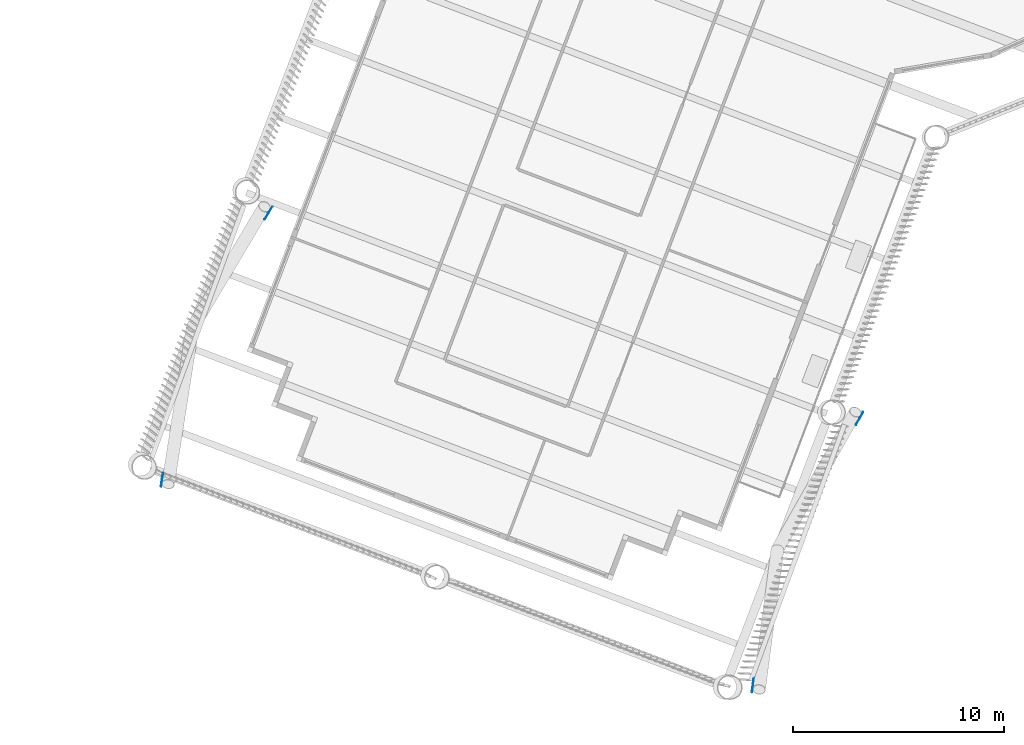
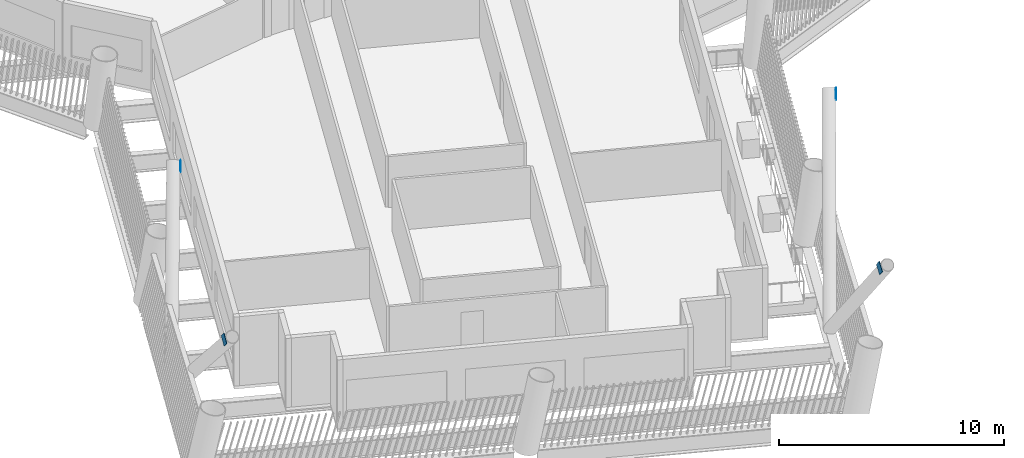
# One storey, part 9 of 23: 4 discrete accessories.
"""IFC4 building model written with IfcOpenShell, lengths in metres."""

import ifcopenshell
import ifcopenshell.guid

model = None  # the IFC model being written
_history = None  # IfcOwnerHistory: only IFC2X3 demands one
_inside = {}  # id of a spatial element -> (the spatial element, [elements in it])
_under = {}  # id of a project, library or spatial element -> (it, [spatial elements below it])
_declared = {}  # id of a project -> (the project, [libraries it declares])
_typed = {}  # id of a type object -> (the type object, [elements of that type])
_made_of = {}  # id of a material, layer set ... -> (it, [elements and type objects made of it])


def new_model(schema):
    """Start an empty IFC model of exactly this schema.

    Asked for "IFC4X3", IfcOpenShell would pick the latest addendum, in which some entities
    have other attributes; the version numbers below select the first issue.
    IFC2X3 requires an IfcOwnerHistory on every rooted entity: one is made here for all.
    """
    global model, _history
    if schema == "IFC4X3":
        model = ifcopenshell.file(schema_version=(4, 3, 0, 0))
    else:
        model = ifcopenshell.file(schema=schema)
    _inside.clear()
    _under.clear()
    _declared.clear()
    _typed.clear()
    _made_of.clear()
    _history = None
    if model.schema == "IFC2X3":
        org = make("IfcOrganization", Name="unknown")
        user = make(
            "IfcPersonAndOrganization",
            ThePerson=make("IfcPerson", FamilyName="unknown"),
            TheOrganization=org,
        )
        app = make(
            "IfcApplication",
            ApplicationDeveloper=org,
            Version="unknown",
            ApplicationFullName="unknown",
            ApplicationIdentifier="unknown",
        )
        _history = make(
            "IfcOwnerHistory",
            OwningUser=user,
            OwningApplication=app,
            ChangeAction="ADDED",
            CreationDate=0,
        )
    return model


def make(cls, **values):
    """One entity of the class cls with the attributes given. An attribute that is None is left unset."""
    return model.create_entity(
        cls, **{name: value for name, value in values.items() if value is not None}
    )


def rooted(cls, **values):
    """An entity with a GlobalId (a new one), such as an element, a storey or a relation."""
    return make(cls, GlobalId=ifcopenshell.guid.new(), OwnerHistory=_history, **values)


def si_unit(unit_type, name, prefix=None):
    """IfcSIUnit, for example si_unit("LENGTHUNIT", "METRE", prefix="MILLI")."""
    return make("IfcSIUnit", UnitType=unit_type, Prefix=prefix, Name=name)


def assignment(units):
    """IfcUnitAssignment: the units of a project."""
    return None if units is None else make("IfcUnitAssignment", Units=units)


def point(xyz):
    """IfcCartesianPoint."""
    return None if xyz is None else make("IfcCartesianPoint", Coordinates=xyz)


def direction(xyz):
    """IfcDirection."""
    return None if xyz is None else make("IfcDirection", DirectionRatios=xyz)


def frame(location, z_axis=None, x_axis=None):
    """IfcAxis2Placement3D, a coordinate frame: its origin and axes. An axis left out is left unset."""
    return make(
        "IfcAxis2Placement3D",
        Location=point(location),
        Axis=direction(z_axis),
        RefDirection=direction(x_axis),
    )


def frame_2d(location, x_axis=None):
    """IfcAxis2Placement2D, a coordinate frame in the plane: its origin and x axis."""
    return make(
        "IfcAxis2Placement2D", Location=point(location), RefDirection=direction(x_axis)
    )


def origin():
    """The frame at (0, 0, 0) with its axes left unset."""
    return frame((0.0, 0.0, 0.0))


def origin_2d():
    """The frame at (0, 0) in the plane with its x axis left unset."""
    return frame_2d((0.0, 0.0))


def place(relative_to, where):
    """IfcLocalPlacement: puts the frame where relative to a parent placement (None: the world)."""
    return make(
        "IfcLocalPlacement", PlacementRelTo=relative_to, RelativePlacement=where
    )


def context(
    kind, dimensions, precision=None, world=None, true_north=None, identifier=None
):
    """IfcGeometricRepresentationContext, for example the 3D "Model" context."""
    return make(
        "IfcGeometricRepresentationContext",
        ContextIdentifier=identifier,
        ContextType=kind,
        CoordinateSpaceDimension=dimensions,
        Precision=precision,
        WorldCoordinateSystem=world,
        TrueNorth=true_north,
    )


def subcontext(parent, identifier, kind, view, scale=None):
    """IfcGeometricRepresentationSubContext, for example "Body" below "Model"."""
    return make(
        "IfcGeometricRepresentationSubContext",
        ContextIdentifier=identifier,
        ContextType=kind,
        ParentContext=parent,
        TargetScale=scale,
        TargetView=view,
    )


def project(units=None, contexts=None):
    """IfcProject with its units and contexts."""
    return rooted(
        "IfcProject",
        Name="project",
        RepresentationContexts=contexts,
        UnitsInContext=assignment(units),
    )


def spatial(cls, under=None, at=None, **own):
    """A site, building, storey or space (cls), placed at a placement, below another one or the project."""
    s = rooted(cls, ObjectPlacement=at, **own)
    if under is not None:
        _under.setdefault(under.id(), (under, []))[1].append(s)
    return s


def profile(cls, at=None, kind="AREA", **sizes):
    """A parametric profile (cls). Its sizes go by their IFC names, for example OverallWidth=200.0."""
    return make(cls, ProfileType=kind, Position=at, **sizes)


def rectangle(**sizes):
    """IfcRectangleProfileDef."""
    return profile("IfcRectangleProfileDef", **sizes)


def extrude(swept, where, along, depth):
    """IfcExtrudedAreaSolid: the profile swept, set in the frame where, extruded along a direction by depth."""
    return make(
        "IfcExtrudedAreaSolid",
        SweptArea=swept,
        Position=where,
        ExtrudedDirection=direction(along),
        Depth=depth,
    )


def shape(context_of_items, identifier, shape_type, items):
    """IfcShapeRepresentation: the items that make up one representation, for example the "Body"."""
    return make(
        "IfcShapeRepresentation",
        ContextOfItems=context_of_items,
        RepresentationIdentifier=identifier,
        RepresentationType=shape_type,
        Items=items,
    )


def material(Name=None, Category=None):
    """IfcMaterial."""
    return make("IfcMaterial", Name=Name, Category=Category)


def material_profile(
    of_material, cross_section, Name=None, Category=None, Priority=None
):
    """IfcMaterialProfile: a cross section and its material."""
    return make(
        "IfcMaterialProfile",
        Name=Name,
        Material=of_material,
        Profile=cross_section,
        Priority=Priority,
        Category=Category,
    )


def profile_set(profiles, Name=None, composite=None):
    """IfcMaterialProfileSet."""
    return make(
        "IfcMaterialProfileSet",
        Name=Name,
        MaterialProfiles=profiles,
        CompositeProfile=composite,
    )


def made_of(thing, what):
    """Note that an element or type object is made of a material, layer set ...; save() writes the relation."""
    if what is not None:
        _made_of.setdefault(what.id(), (what, []))[1].append(thing)
    return thing


def type_object(cls, material=None, **own):
    """A type object (cls), such as IfcWallType, which elements share."""
    return made_of(rooted(cls, **own), material)


def element(
    cls,
    number,
    at=None,
    inside=None,
    cuts=None,
    type_object=None,
    material=None,
    context=None,
    identifier="Body",
    shape_type=None,
    held_by="IfcProductDefinitionShape",
    body=None,
    shapes=None,
    **own,
):
    """One element of the class cls, such as IfcWall. Its Tag is "e" and its number.

    at: its placement. inside: the storey or other place that contains it. cuts: it is an
    opening in that element (IfcRelVoidsElement). A single representation is given by context,
    identifier, shape_type and body (its items); several are given by shapes. held_by: the class
    of the entity that holds the representations. save() writes the other relations.
    """
    e = rooted(cls, Tag="e%d" % number, ObjectPlacement=at, **own)
    if body is not None:
        shapes = [shape(context, identifier, shape_type, body)]
    if shapes is not None:
        e.Representation = make(held_by, Representations=shapes)
    if inside is not None:
        _inside.setdefault(inside.id(), (inside, []))[1].append(e)
    if cuts is not None:
        rooted(
            "IfcRelVoidsElement", RelatingBuildingElement=cuts, RelatedOpeningElement=e
        )
    if type_object is not None:
        _typed.setdefault(type_object.id(), (type_object, []))[1].append(e)
    return made_of(e, material)


def aggregate(whole, parts):
    """IfcRelAggregates: a whole, such as a stair, and the parts it consists of."""
    return rooted("IfcRelAggregates", RelatingObject=whole, RelatedObjects=parts)


def save(model, path):
    """Write the relations noted so far, then the file.

    IfcRelAggregates (storeys below a building ...), IfcRelContainedInSpatialStructure (elements
    in a storey), IfcRelDefinesByType, IfcRelAssociatesMaterial and IfcRelDeclares: one each for
    every whole, place, type object, material and project.
    """
    for whole, parts in _under.values():
        aggregate(whole, parts)
    for where, things in _inside.values():
        rooted(
            "IfcRelContainedInSpatialStructure",
            RelatedElements=things,
            RelatingStructure=where,
        )
    for kind, things in _typed.values():
        rooted("IfcRelDefinesByType", RelatedObjects=things, RelatingType=kind)
    for what, things in _made_of.values():
        rooted("IfcRelAssociatesMaterial", RelatedObjects=things, RelatingMaterial=what)
    for by, libraries in _declared.values():
        rooted("IfcRelDeclares", RelatingContext=by, RelatedDefinitions=libraries)
    model.write(path)


model = new_model("IFC4")

# Units and contexts
model_context = context("Model", 3, precision=1e-05, world=origin(), true_north=direction((0.0, 1.0)))
body_context = subcontext(model_context, "Body", "Model", "MODEL_VIEW")
ifc_project = project(units=[si_unit("LENGTHUNIT", "METRE"), si_unit("AREAUNIT", "SQUARE_METRE"), si_unit("VOLUMEUNIT", "CUBIC_METRE"), si_unit("PLANEANGLEUNIT", "RADIAN"), si_unit("MASSUNIT", "GRAM", prefix="KILO")], contexts=[model_context])

# Site, building, storey
site_placement = place(None, origin())
site = spatial("IfcSite", under=ifc_project, at=site_placement, CompositionType="ELEMENT")
building_placement = place(site_placement, origin())
building = spatial("IfcBuilding", under=site, at=building_placement, Name="Tarsis Ring Headquarters", CompositionType="ELEMENT")
storey_placement = place(building_placement, frame((0.0, 0.0, 131.800048828125)))
storey = spatial("IfcBuildingStorey", under=building, at=storey_placement, Name="L30", CompositionType="ELEMENT", Elevation=131.800048828125)

# Discrete accessories
ifc_material = material(Name="Structural steel S355", Category="steel")
ifc_material_profile = material_profile(ifc_material, rectangle(XDim=0.02490234375, YDim=0.5, at=origin_2d()), Name="PL 25x500")
ifc_profile_set = profile_set([ifc_material_profile], Name="Structural steel S355")
discrete_accessory_type = type_object("IfcDiscreteAccessoryType", Name="Gusset plate Exo brace 25", PredefinedType="BRACKET", material=ifc_profile_set)
discrete_accessory_1_placement = place(storey_placement, frame((-31.623046875, -44.968505859375, 7.800048828125), z_axis=(0.107894234275, 0.685933932834, -0.71962036797), x_axis=(-0.987854009239, 0.15538486551, 0.0)))
element("IfcDiscreteAccessory", 1, at=discrete_accessory_1_placement, inside=storey, type_object=discrete_accessory_type, Name="Gusset plate GP5", PredefinedType="BRACKET", context=body_context, shape_type="SweptSolid", body=[
    extrude(rectangle(XDim=0.02490234375, YDim=0.5, at=origin_2d()), origin(), (0.0, 0.0, 1.0), 0.5),
])
discrete_accessory_2_placement = place(storey_placement, frame((-26.47412109375, -32.048095703125, 7.800048828125), z_axis=(-0.331635570402, -0.556307679952, -0.761931501954), x_axis=(0.858953352862, -0.512053842488, 0.0)))
element("IfcDiscreteAccessory", 2, at=discrete_accessory_2_placement, inside=storey, type_object=discrete_accessory_type, Name="Gusset plate GP5", PredefinedType="BRACKET", context=body_context, shape_type="SweptSolid", body=[
    extrude(rectangle(XDim=0.02490234375, YDim=0.5, at=origin_2d()), origin(), (0.0, 0.0, 1.0), 0.499755859375),
])
for number, where, z_axis, x_axis, name in (
    (3, (1.48974609375, -41.757080078125, 7.800048828125), (-0.341677309383, -0.602328285399, -0.721427233241), (0.869800383327, -0.493403783087, 0.0), "Gusset plate GP5"),
    (4, (-3.663818359375, -54.69140625, 7.800048828125), (0.084939180502, 0.644854353125, -0.759571062424), (-0.99143640455, 0.130590412106, 0.0), "Gusset plate GP5"),
):
    element("IfcDiscreteAccessory", number, at=place(storey_placement, frame(where, z_axis=z_axis, x_axis=x_axis)), inside=storey, type_object=discrete_accessory_type, Name=name, PredefinedType="BRACKET", context=body_context, shape_type="SweptSolid", body=[
        extrude(rectangle(XDim=0.02490234375, YDim=0.5, at=origin_2d()), origin(), (0.0, 0.0, 1.0), 0.500244140625),
    ])

save(model, "model.ifc")
